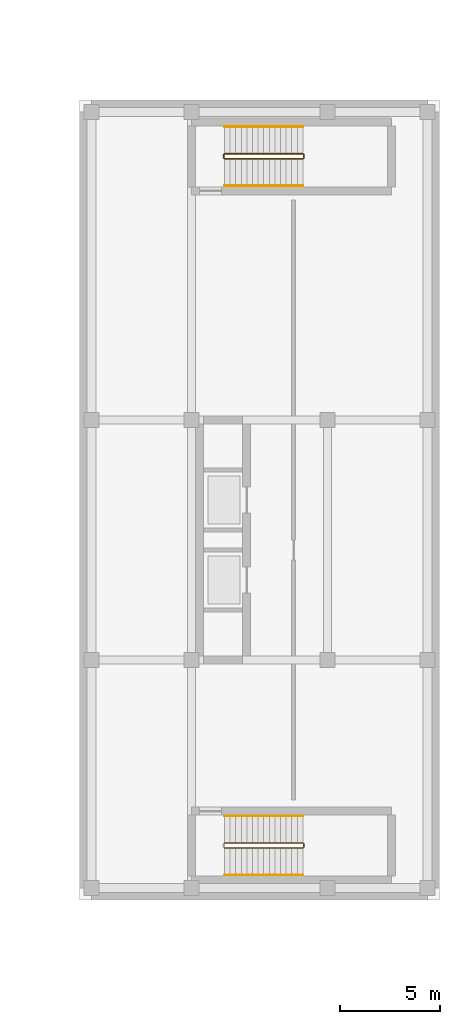
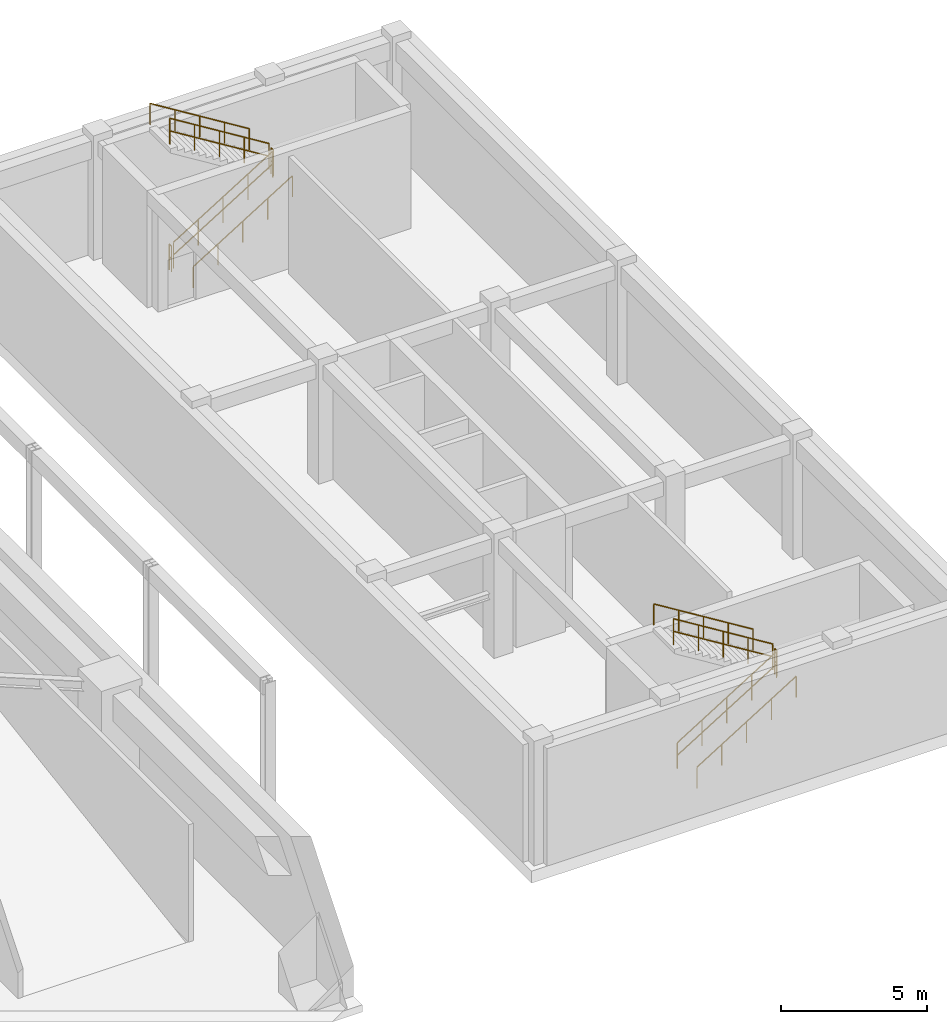
# One storey, part 12 of 13: 11 railings.
"""IFC4 building model written with IfcOpenShell, lengths in metres."""

from ifc_helpers import new_model, si_unit, direction, frame, origin, origin_2d, place, context, subcontext, project, spatial, circle, extrude, material, type_object, element, save


model = new_model("IFC4")

# Units and contexts
model_context = context("Model", 3, precision=1e-05, world=origin(), true_north=direction((0.0, 1.0)))
body_context = subcontext(model_context, "Body", "Model", "MODEL_VIEW")
ifc_project = project(units=[si_unit("LENGTHUNIT", "METRE"), si_unit("AREAUNIT", "SQUARE_METRE"), si_unit("VOLUMEUNIT", "CUBIC_METRE"), si_unit("PLANEANGLEUNIT", "RADIAN"), si_unit("MASSUNIT", "GRAM", prefix="KILO")], contexts=[model_context])

# Site, building, storey
site_placement = place(None, origin())
site = spatial("IfcSite", under=ifc_project, at=site_placement, CompositionType="ELEMENT")
building_placement = place(site_placement, origin())
building = spatial("IfcBuilding", under=site, at=building_placement, Name="Veraguas Prism Commons", CompositionType="ELEMENT")
storey_placement = place(building_placement, frame((0.0, 0.0, -5.199951171875)))
storey = spatial("IfcBuildingStorey", under=building, at=storey_placement, Name="B1", CompositionType="ELEMENT", Elevation=-5.199951171875)

# Railings
ifc_material = material(Name="Stainless steel AISI 316", Category="steel")
railing_type_1 = type_object("IfcRailingType", Name="Stair and Ramp Stainless Handrail 900", PredefinedType="HANDRAIL", material=ifc_material)
railing_1_placement = place(storey_placement, frame((64.25, 5.25, 0.17333984375)))
element("IfcRailing", 1, at=railing_1_placement, inside=storey, type_object=railing_type_1, Name="Stair Handrail ST-H1 B1-1", PredefinedType="HANDRAIL", context=body_context, shape_type="SweptSolid", body=[
    extrude(circle(Radius=0.02392578125, at=origin_2d()), frame((0.0, 0.0, 0.8759765625), z_axis=(0.850275303828, 0.0, 0.526338206574), x_axis=(0.0, 1.0, 0.0)), (0.0, 0.0, 1.0), 4.610107421875),
    extrude(circle(Radius=0.02099609375, at=origin_2d()), origin(), (0.0, 0.0, 1.0), 0.851806640625),
    extrude(circle(Radius=0.02099609375, at=origin_2d()), frame((0.97998046875, 0.0, 0.606689453125)), (0.0, 0.0, 1.0), 0.851806640625),
    extrude(circle(Radius=0.02099609375, at=origin_2d()), frame((1.9599609375, 0.0, 1.21337890625)), (0.0, 0.0, 1.0), 0.851806640625),
    extrude(circle(Radius=0.02099609375, at=origin_2d()), frame((2.93994140625, 0.0, 1.81982421875)), (0.0, 0.0, 1.0), 0.851806640625),
    extrude(circle(Radius=0.02099609375, at=origin_2d()), frame((3.919921875, 0.0, 2.426513671875)), (0.0, 0.0, 1.0), 0.851806640625),
])
railing_2_placement = place(storey_placement, frame((68.169921875, 8.199951171875, 2.773193359375)))
element("IfcRailing", 2, at=railing_2_placement, inside=storey, type_object=railing_type_1, Name="Stair Handrail ST-H1 B1-2", PredefinedType="HANDRAIL", context=body_context, shape_type="SweptSolid", body=[
    extrude(circle(Radius=0.02392578125, at=origin_2d()), frame((0.0, 0.0, 0.8759765625), z_axis=(-0.850251603719, 0.0, 0.526376491091), x_axis=(0.0, -1.0, 0.0)), (0.0, 0.0, 1.0), 4.6103515625),
    extrude(circle(Radius=0.02099609375, at=origin_2d()), origin(), (0.0, 0.0, 1.0), 0.851806640625),
    extrude(circle(Radius=0.02099609375, at=origin_2d()), frame((-0.97998046875, 0.0, 0.606689453125)), (0.0, 0.0, 1.0), 0.851806640625),
    extrude(circle(Radius=0.02099609375, at=origin_2d()), frame((-1.9599609375, 0.0, 1.21337890625)), (0.0, 0.0, 1.0), 0.851806640625),
    extrude(circle(Radius=0.02099609375, at=origin_2d()), frame((-2.93994140625, 0.0, 1.820068359375)), (0.0, 0.0, 1.0), 0.851806640625),
    extrude(circle(Radius=0.02099609375, at=origin_2d()), frame((-3.919921875, 0.0, 2.4267578125)), (0.0, 0.0, 1.0), 0.851806640625),
])
railing_3_placement = place(storey_placement, frame((64.25, 39.7099609375, 0.17333984375)))
element("IfcRailing", 3, at=railing_3_placement, inside=storey, type_object=railing_type_1, Name="Stair Handrail ST-H2 B1-1", PredefinedType="HANDRAIL", context=body_context, shape_type="SweptSolid", body=[
    extrude(circle(Radius=0.02392578125, at=origin_2d()), frame((0.0, 0.0, 0.8759765625), z_axis=(0.850275303828, 0.0, 0.526338206574), x_axis=(0.0, 1.0, 0.0)), (0.0, 0.0, 1.0), 4.610107421875),
    extrude(circle(Radius=0.02099609375, at=origin_2d()), origin(), (0.0, 0.0, 1.0), 0.851806640625),
    extrude(circle(Radius=0.02099609375, at=origin_2d()), frame((0.97998046875, 0.0, 0.606689453125)), (0.0, 0.0, 1.0), 0.851806640625),
    extrude(circle(Radius=0.02099609375, at=origin_2d()), frame((1.9599609375, 0.0, 1.21337890625)), (0.0, 0.0, 1.0), 0.851806640625),
    extrude(circle(Radius=0.02099609375, at=origin_2d()), frame((2.93994140625, 0.0, 1.81982421875)), (0.0, 0.0, 1.0), 0.851806640625),
    extrude(circle(Radius=0.02099609375, at=origin_2d()), frame((3.919921875, 0.0, 2.426513671875)), (0.0, 0.0, 1.0), 0.851806640625),
])
railing_4_placement = place(storey_placement, frame((68.169921875, 42.659912109375, 2.773193359375)))
element("IfcRailing", 4, at=railing_4_placement, inside=storey, type_object=railing_type_1, Name="Stair Handrail ST-H2 B1-2", PredefinedType="HANDRAIL", context=body_context, shape_type="SweptSolid", body=[
    extrude(circle(Radius=0.02392578125, at=origin_2d()), frame((0.0, 0.0, 0.8759765625), z_axis=(-0.850251603719, 0.0, 0.526376491091), x_axis=(0.0, -1.0, 0.0)), (0.0, 0.0, 1.0), 4.6103515625),
    extrude(circle(Radius=0.02099609375, at=origin_2d()), origin(), (0.0, 0.0, 1.0), 0.851806640625),
    extrude(circle(Radius=0.02099609375, at=origin_2d()), frame((-0.97998046875, 0.0, 0.606689453125)), (0.0, 0.0, 1.0), 0.851806640625),
    extrude(circle(Radius=0.02099609375, at=origin_2d()), frame((-1.9599609375, 0.0, 1.21337890625)), (0.0, 0.0, 1.0), 0.851806640625),
    extrude(circle(Radius=0.02099609375, at=origin_2d()), frame((-2.93994140625, 0.0, 1.820068359375)), (0.0, 0.0, 1.0), 0.851806640625),
    extrude(circle(Radius=0.02099609375, at=origin_2d()), frame((-3.919921875, 0.0, 2.4267578125)), (0.0, 0.0, 1.0), 0.851806640625),
])
railing_type_2 = type_object("IfcRailingType", Name="Stairwell Safety Guardrail 1100", PredefinedType="GUARDRAIL", material=ifc_material)
railing_5_placement = place(storey_placement, frame((64.25, 6.60009765625, 0.17333984375)))
element("IfcRailing", 5, at=railing_5_placement, inside=storey, type_object=railing_type_2, Name="Stair Guard ST-H1 B1-1", PredefinedType="GUARDRAIL", context=body_context, shape_type="SweptSolid", body=[
    extrude(circle(Radius=0.02392578125, at=origin_2d()), frame((0.0, 0.0, 1.076171875), z_axis=(0.850275303828, 0.0, 0.526338206574), x_axis=(0.0, 1.0, 0.0)), (0.0, 0.0, 1.0), 4.610107421875),
    extrude(circle(Radius=0.02392578125, at=origin_2d()), frame((0.0, 0.0, 0.550048828125), z_axis=(0.850275303828, 0.0, 0.526338206574), x_axis=(0.0, 1.0, 0.0)), (0.0, 0.0, 1.0), 4.610107421875),
    extrude(circle(Radius=0.02099609375, at=origin_2d()), origin(), (0.0, 0.0, 1.0), 1.052001953125),
    extrude(circle(Radius=0.02099609375, at=origin_2d()), frame((0.97998046875, 0.0, 0.606689453125)), (0.0, 0.0, 1.0), 1.052001953125),
    extrude(circle(Radius=0.02099609375, at=origin_2d()), frame((1.9599609375, 0.0, 1.21337890625)), (0.0, 0.0, 1.0), 1.052001953125),
    extrude(circle(Radius=0.02099609375, at=origin_2d()), frame((2.93994140625, 0.0, 1.81982421875)), (0.0, 0.0, 1.0), 1.052001953125),
    extrude(circle(Radius=0.02099609375, at=origin_2d()), frame((3.919921875, 0.0, 2.426513671875)), (0.0, 0.0, 1.0), 1.052001953125),
])
railing_6_placement = place(storey_placement, frame((68.219970703125, 6.64990234375, 2.599853515625)))
element("IfcRailing", 6, at=railing_6_placement, inside=storey, type_object=railing_type_2, Name="Stair Guard ST-H1 B1-2", PredefinedType="GUARDRAIL", context=body_context, shape_type="SweptSolid", body=[
    extrude(circle(Radius=0.02392578125, at=origin_2d()), frame((0.0, 0.0, 1.076171875), z_axis=(0.0, 1.0, 0.0), x_axis=(-1.0, 0.0, 0.0)), (0.0, 0.0, 1.0), 0.150146484375),
    extrude(circle(Radius=0.02392578125, at=origin_2d()), frame((0.0, 0.0, 0.550048828125), z_axis=(0.0, 1.0, 0.0), x_axis=(-1.0, 0.0, 0.0)), (0.0, 0.0, 1.0), 0.150146484375),
    extrude(circle(Radius=0.02099609375, at=origin_2d()), origin(), (0.0, 0.0, 1.0), 1.052001953125),
    extrude(circle(Radius=0.02099609375, at=origin_2d()), frame((0.0, 0.150146484375, 0.0)), (0.0, 0.0, 1.0), 1.052001953125),
])
railing_7_placement = place(storey_placement, frame((68.169921875, 6.85009765625, 2.773193359375)))
element("IfcRailing", 7, at=railing_7_placement, inside=storey, type_object=railing_type_2, Name="Stair Guard ST-H1 B1-3", PredefinedType="GUARDRAIL", context=body_context, shape_type="SweptSolid", body=[
    extrude(circle(Radius=0.02392578125, at=origin_2d()), frame((0.0, 0.0, 1.076171875), z_axis=(-0.850251603719, 0.0, 0.526376491091), x_axis=(0.0, -1.0, 0.0)), (0.0, 0.0, 1.0), 4.6103515625),
    extrude(circle(Radius=0.02392578125, at=origin_2d()), frame((0.0, 0.0, 0.550048828125), z_axis=(-0.850251603719, 0.0, 0.526376491091), x_axis=(0.0, -1.0, 0.0)), (0.0, 0.0, 1.0), 4.6103515625),
    extrude(circle(Radius=0.02099609375, at=origin_2d()), origin(), (0.0, 0.0, 1.0), 1.052001953125),
    extrude(circle(Radius=0.02099609375, at=origin_2d()), frame((-0.97998046875, 0.0, 0.606689453125)), (0.0, 0.0, 1.0), 1.052001953125),
    extrude(circle(Radius=0.02099609375, at=origin_2d()), frame((-1.9599609375, 0.0, 1.21337890625)), (0.0, 0.0, 1.0), 1.052001953125),
    extrude(circle(Radius=0.02099609375, at=origin_2d()), frame((-2.93994140625, 0.0, 1.820068359375)), (0.0, 0.0, 1.0), 1.052001953125),
    extrude(circle(Radius=0.02099609375, at=origin_2d()), frame((-3.919921875, 0.0, 2.4267578125)), (0.0, 0.0, 1.0), 1.052001953125),
])
railing_8_placement = place(storey_placement, frame((64.25, 41.06005859375, 0.17333984375)))
element("IfcRailing", 8, at=railing_8_placement, inside=storey, type_object=railing_type_2, Name="Stair Guard ST-H2 B1-1", PredefinedType="GUARDRAIL", context=body_context, shape_type="SweptSolid", body=[
    extrude(circle(Radius=0.02392578125, at=origin_2d()), frame((0.0, 0.0, 1.076171875), z_axis=(0.850275303828, 0.0, 0.526338206574), x_axis=(0.0, 1.0, 0.0)), (0.0, 0.0, 1.0), 4.610107421875),
    extrude(circle(Radius=0.02392578125, at=origin_2d()), frame((0.0, 0.0, 0.550048828125), z_axis=(0.850275303828, 0.0, 0.526338206574), x_axis=(0.0, 1.0, 0.0)), (0.0, 0.0, 1.0), 4.610107421875),
    extrude(circle(Radius=0.02099609375, at=origin_2d()), origin(), (0.0, 0.0, 1.0), 1.052001953125),
    extrude(circle(Radius=0.02099609375, at=origin_2d()), frame((0.97998046875, 0.0, 0.606689453125)), (0.0, 0.0, 1.0), 1.052001953125),
    extrude(circle(Radius=0.02099609375, at=origin_2d()), frame((1.9599609375, 0.0, 1.21337890625)), (0.0, 0.0, 1.0), 1.052001953125),
    extrude(circle(Radius=0.02099609375, at=origin_2d()), frame((2.93994140625, 0.0, 1.81982421875)), (0.0, 0.0, 1.0), 1.052001953125),
    extrude(circle(Radius=0.02099609375, at=origin_2d()), frame((3.919921875, 0.0, 2.426513671875)), (0.0, 0.0, 1.0), 1.052001953125),
])
railing_9_placement = place(storey_placement, frame((68.219970703125, 41.110107421875, 2.599853515625)))
element("IfcRailing", 9, at=railing_9_placement, inside=storey, type_object=railing_type_2, Name="Stair Guard ST-H2 B1-2", PredefinedType="GUARDRAIL", context=body_context, shape_type="SweptSolid", body=[
    extrude(circle(Radius=0.02392578125, at=origin_2d()), frame((0.0, 0.0, 1.076171875), z_axis=(0.0, 1.0, 0.0), x_axis=(-1.0, 0.0, 0.0)), (0.0, 0.0, 1.0), 0.14990234375),
    extrude(circle(Radius=0.02392578125, at=origin_2d()), frame((0.0, 0.0, 0.550048828125), z_axis=(0.0, 1.0, 0.0), x_axis=(-1.0, 0.0, 0.0)), (0.0, 0.0, 1.0), 0.14990234375),
    extrude(circle(Radius=0.02099609375, at=origin_2d()), origin(), (0.0, 0.0, 1.0), 1.052001953125),
    extrude(circle(Radius=0.02099609375, at=origin_2d()), frame((0.0, 0.14990234375, 0.0)), (0.0, 0.0, 1.0), 1.052001953125),
])
railing_10_placement = place(storey_placement, frame((68.169921875, 41.31005859375, 2.773193359375)))
element("IfcRailing", 10, at=railing_10_placement, inside=storey, type_object=railing_type_2, Name="Stair Guard ST-H2 B1-3", PredefinedType="GUARDRAIL", context=body_context, shape_type="SweptSolid", body=[
    extrude(circle(Radius=0.02392578125, at=origin_2d()), frame((0.0, 0.0, 1.076171875), z_axis=(-0.850251603719, 0.0, 0.526376491091), x_axis=(0.0, -1.0, 0.0)), (0.0, 0.0, 1.0), 4.6103515625),
    extrude(circle(Radius=0.02392578125, at=origin_2d()), frame((0.0, 0.0, 0.550048828125), z_axis=(-0.850251603719, 0.0, 0.526376491091), x_axis=(0.0, -1.0, 0.0)), (0.0, 0.0, 1.0), 4.6103515625),
    extrude(circle(Radius=0.02099609375, at=origin_2d()), origin(), (0.0, 0.0, 1.0), 1.052001953125),
    extrude(circle(Radius=0.02099609375, at=origin_2d()), frame((-0.97998046875, 0.0, 0.606689453125)), (0.0, 0.0, 1.0), 1.052001953125),
    extrude(circle(Radius=0.02099609375, at=origin_2d()), frame((-1.9599609375, 0.0, 1.21337890625)), (0.0, 0.0, 1.0), 1.052001953125),
    extrude(circle(Radius=0.02099609375, at=origin_2d()), frame((-2.93994140625, 0.0, 1.820068359375)), (0.0, 0.0, 1.0), 1.052001953125),
    extrude(circle(Radius=0.02099609375, at=origin_2d()), frame((-3.919921875, 0.0, 2.4267578125)), (0.0, 0.0, 1.0), 1.052001953125),
])
railing_11_placement = place(storey_placement, frame((64.199951171875, 41.110107421875, 0.0)))
element("IfcRailing", 11, at=railing_11_placement, inside=storey, type_object=railing_type_2, Name="Stair Guard ST-H2 B1-4", PredefinedType="GUARDRAIL", context=body_context, shape_type="SweptSolid", body=[
    extrude(circle(Radius=0.02392578125, at=origin_2d()), frame((0.0, 0.0, 1.076171875), z_axis=(0.0, 1.0, 0.0), x_axis=(-1.0, 0.0, 0.0)), (0.0, 0.0, 1.0), 0.14990234375),
    extrude(circle(Radius=0.02392578125, at=origin_2d()), frame((0.0, 0.0, 0.550048828125), z_axis=(0.0, 1.0, 0.0), x_axis=(-1.0, 0.0, 0.0)), (0.0, 0.0, 1.0), 0.14990234375),
    extrude(circle(Radius=0.02099609375, at=origin_2d()), origin(), (0.0, 0.0, 1.0), 1.052001953125),
    extrude(circle(Radius=0.02099609375, at=origin_2d()), frame((0.0, 0.14990234375, 0.0)), (0.0, 0.0, 1.0), 1.052001953125),
])

save(model, "model.ifc")
